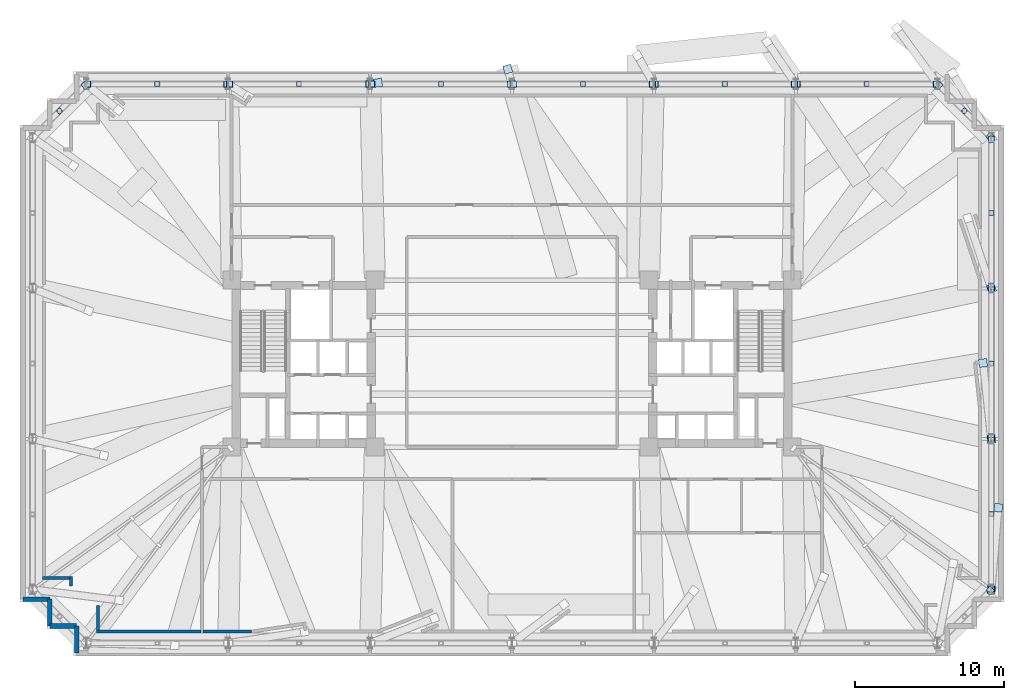
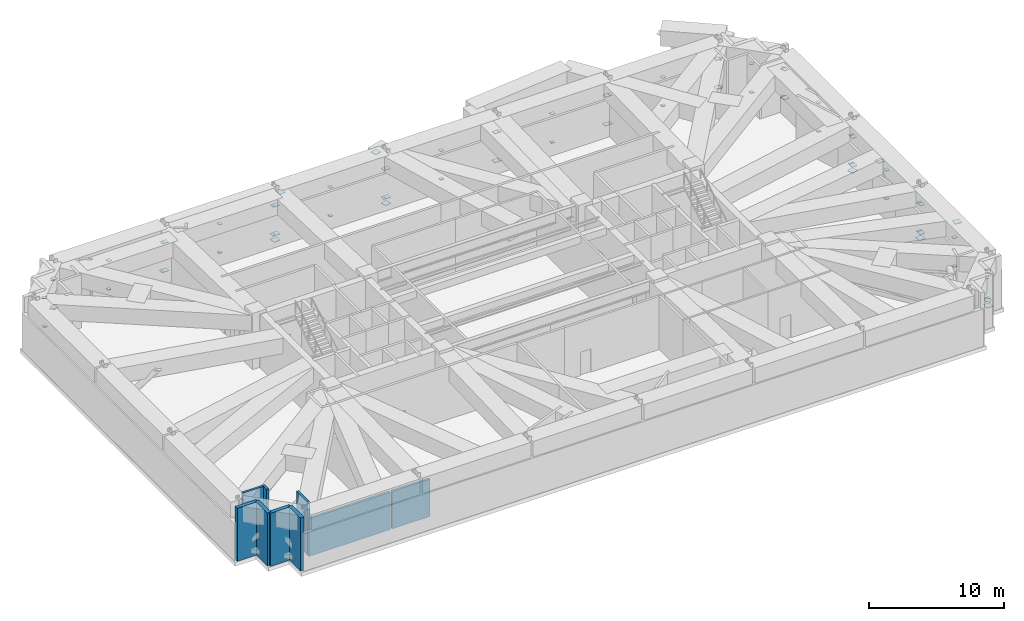
# One storey, part 14 of 20: 76 plates, 9 walls.
"""IFC4 building model written with IfcOpenShell, lengths in metres."""

from ifc_helpers import new_model, si_unit, direction, frame, frame_2d, origin, origin_2d, place, context, subcontext, project, spatial, rectangle, extrude, material, layer, layer_set, type_object, element, save


model = new_model("IFC4")

# Units and contexts
model_context = context("Model", 3, precision=1e-05, world=origin(), true_north=direction((0.0, 1.0)))
body_context = subcontext(model_context, "Body", "Model", "MODEL_VIEW")
ifc_project = project(units=[si_unit("LENGTHUNIT", "METRE"), si_unit("AREAUNIT", "SQUARE_METRE"), si_unit("VOLUMEUNIT", "CUBIC_METRE"), si_unit("PLANEANGLEUNIT", "RADIAN"), si_unit("MASSUNIT", "GRAM", prefix="KILO")], contexts=[model_context])

# Site, building, storey
site_placement = place(None, origin())
site = spatial("IfcSite", under=ifc_project, at=site_placement, CompositionType="ELEMENT")
building_placement = place(site_placement, origin())
building = spatial("IfcBuilding", under=site, at=building_placement, Name="Qobustan Lattice House", CompositionType="ELEMENT")
storey_placement = place(building_placement, frame((0.0, 0.0, 73.89990234375)))
storey = spatial("IfcBuildingStorey", under=building, at=storey_placement, Name="L20", CompositionType="ELEMENT", Elevation=73.89990234375)

# Plates
ifc_material_1 = material(Name="Steel S355", Category="steel")
ifc_layer_1 = layer(ifc_material_1, 0.030029296875)
ifc_layer_set_1 = layer_set([ifc_layer_1], Name="Steel S355")
plate_type = type_object("IfcPlateType", Name="PLT-CAP-25", PredefinedType="SHEET", material=ifc_layer_set_1)
plate_1_placement = place(storey_placement, frame((32.082763671875, -15.21728515625, 0.53515625), z_axis=(0.0, 0.0, 1.0), x_axis=(0.707106781187, 0.707106781187, 0.0)))
element("IfcPlate", 1, at=plate_1_placement, inside=storey, type_object=plate_type, Name="L20 TT1 belt truss bottom chord S7-E1 end cap plate 2", PredefinedType="SHEET", context=body_context, shape_type="SweptSolid", body=[
    extrude(rectangle(XDim=0.43994140625, YDim=0.43994140625, at=origin_2d()), origin(), (0.0, 0.0, 1.0), 0.030029296875),
])
plate_2_placement = place(storey_placement, frame((32.082763671875, -15.21728515625, 3.125), z_axis=(0.0, 0.0, 1.0), x_axis=(0.707106781187, 0.707106781187, 0.0)))
element("IfcPlate", 2, at=plate_2_placement, inside=storey, type_object=plate_type, Name="L20 TT1 belt truss top chord S7-E1 end cap plate 2", PredefinedType="SHEET", context=body_context, shape_type="SweptSolid", body=[
    extrude(rectangle(XDim=0.389892578125, YDim=0.389892578125, at=origin_2d()), origin(), (0.0, 0.0, 1.0), 0.030029296875),
])
for number, where, z_axis, x_axis, name in (
    (3, (32.14990234375, -15.054931640625, 0.53515625), (0.0, 0.0, 1.0), (0.0, 1.0, 0.0), "L20 TT1 belt truss bottom chord E1-E2 end cap plate 1"),
    (4, (32.14990234375, -5.14501953125, 0.53515625), (0.0, 0.0, 1.0), (0.0, 1.0, 0.0), "L20 TT1 belt truss bottom chord E1-E2 end cap plate 2"),
):
    element("IfcPlate", number, at=place(storey_placement, frame(where, z_axis=z_axis, x_axis=x_axis)), inside=storey, type_object=plate_type, Name=name, PredefinedType="SHEET", context=body_context, shape_type="SweptSolid", body=[
        extrude(rectangle(XDim=0.43994140625, YDim=0.43994140625, at=origin_2d()), origin(), (0.0, 0.0, 1.0), 0.030029296875),
    ])
for number, where, z_axis, x_axis, name in (
    (5, (32.14990234375, -15.054931640625, 3.125), (0.0, 0.0, 1.0), (0.0, 1.0, 0.0), "L20 TT1 belt truss top chord E1-E2 end cap plate 1"),
    (6, (32.14990234375, -5.14501953125, 3.125), (0.0, 0.0, 1.0), (0.0, 1.0, 0.0), "L20 TT1 belt truss top chord E1-E2 end cap plate 2"),
):
    element("IfcPlate", number, at=place(storey_placement, frame(where, z_axis=z_axis, x_axis=x_axis)), inside=storey, type_object=plate_type, Name=name, PredefinedType="SHEET", context=body_context, shape_type="SweptSolid", body=[
        extrude(rectangle(XDim=0.389892578125, YDim=0.389892578125, at=origin_2d()), origin(), (0.0, 0.0, 1.0), 0.030029296875),
    ])
plate_3_placement = place(storey_placement, frame((32.14990234375, -10.095703125, 3.12744140625), z_axis=(0.0, 0.0, 1.0), x_axis=(0.0, 1.0, 0.0)))
element("IfcPlate", 7, at=plate_3_placement, inside=storey, type_object=plate_type, Name="L20 TT1 belt truss web diagonal E1-E2 A end cap plate 2", PredefinedType="SHEET", context=body_context, shape_type="SweptSolid", body=[
    extrude(rectangle(XDim=0.340087890625, YDim=0.340087890625, at=origin_2d()), origin(), (0.0, 0.0, 1.0), 0.030029296875),
])
plate_4_placement = place(storey_placement, frame((32.14990234375, -10.10009765625, 0.5302734375), z_axis=(0.0, 0.0, 1.0), x_axis=(1.0, 0.0, 0.0)))
element("IfcPlate", 8, at=plate_4_placement, inside=storey, type_object=plate_type, Name="L20 TT1 belt truss vertical post E1-E2 end cap plate 1", PredefinedType="SHEET", context=body_context, shape_type="SweptSolid", body=[
    extrude(rectangle(XDim=0.2900390625, YDim=0.2900390625, at=origin_2d()), origin(), (0.0, 0.0, 1.0), 0.030029296875),
])
for number, where, z_axis, x_axis, name in (
    (9, (32.14990234375, -4.955078125, 0.53515625), (0.0, 0.0, 1.0), (0.0, 1.0, 0.0), "L20 TT1 belt truss bottom chord E2-E3 end cap plate 1"),
    (10, (32.14990234375, 4.955078125, 0.53515625), (0.0, 0.0, 1.0), (0.0, 1.0, 0.0), "L20 TT1 belt truss bottom chord E2-E3 end cap plate 2"),
):
    element("IfcPlate", number, at=place(storey_placement, frame(where, z_axis=z_axis, x_axis=x_axis)), inside=storey, type_object=plate_type, Name=name, PredefinedType="SHEET", context=body_context, shape_type="SweptSolid", body=[
        extrude(rectangle(XDim=0.43994140625, YDim=0.43994140625, at=origin_2d()), origin(), (0.0, 0.0, 1.0), 0.030029296875),
    ])
for number, where, z_axis, x_axis, name in (
    (11, (32.14990234375, -4.955078125, 3.125), (0.0, 0.0, 1.0), (0.0, 1.0, 0.0), "L20 TT1 belt truss top chord E2-E3 end cap plate 1"),
    (12, (32.14990234375, 4.955078125, 3.125), (0.0, 0.0, 1.0), (0.0, 1.0, 0.0), "L20 TT1 belt truss top chord E2-E3 end cap plate 2"),
):
    element("IfcPlate", number, at=place(storey_placement, frame(where, z_axis=z_axis, x_axis=x_axis)), inside=storey, type_object=plate_type, Name=name, PredefinedType="SHEET", context=body_context, shape_type="SweptSolid", body=[
        extrude(rectangle(XDim=0.389892578125, YDim=0.389892578125, at=origin_2d()), origin(), (0.0, 0.0, 1.0), 0.030029296875),
    ])
plate_5_placement = place(storey_placement, frame((32.14990234375, 0.00439453125, 3.12744140625), z_axis=(0.0, 0.0, 1.0), x_axis=(0.0, 1.0, 0.0)))
element("IfcPlate", 13, at=plate_5_placement, inside=storey, type_object=plate_type, Name="L20 TT1 belt truss web diagonal E2-E3 A end cap plate 2", PredefinedType="SHEET", context=body_context, shape_type="SweptSolid", body=[
    extrude(rectangle(XDim=0.340087890625, YDim=0.340087890625, at=origin_2d()), origin(), (0.0, 0.0, 1.0), 0.030029296875),
])
plate_6_placement = place(storey_placement, frame((32.14990234375, 0.0, 0.5302734375), z_axis=(0.0, 0.0, 1.0), x_axis=(1.0, 0.0, 0.0)))
element("IfcPlate", 14, at=plate_6_placement, inside=storey, type_object=plate_type, Name="L20 TT1 belt truss vertical post E2-E3 end cap plate 1", PredefinedType="SHEET", context=body_context, shape_type="SweptSolid", body=[
    extrude(rectangle(XDim=0.2900390625, YDim=0.2900390625, at=origin_2d()), origin(), (0.0, 0.0, 1.0), 0.030029296875),
])
for number, where, z_axis, x_axis, name in (
    (15, (32.14990234375, 5.14501953125, 0.53515625), (0.0, 0.0, 1.0), (0.0, 1.0, 0.0), "L20 TT1 belt truss bottom chord E3-E4 end cap plate 1"),
    (16, (32.14990234375, 15.054931640625, 0.53515625), (0.0, 0.0, 1.0), (0.0, 1.0, 0.0), "L20 TT1 belt truss bottom chord E3-E4 end cap plate 2"),
):
    element("IfcPlate", number, at=place(storey_placement, frame(where, z_axis=z_axis, x_axis=x_axis)), inside=storey, type_object=plate_type, Name=name, PredefinedType="SHEET", context=body_context, shape_type="SweptSolid", body=[
        extrude(rectangle(XDim=0.43994140625, YDim=0.43994140625, at=origin_2d()), origin(), (0.0, 0.0, 1.0), 0.030029296875),
    ])
for number, where, z_axis, x_axis, name in (
    (17, (32.14990234375, 5.14501953125, 3.125), (0.0, 0.0, 1.0), (0.0, 1.0, 0.0), "L20 TT1 belt truss top chord E3-E4 end cap plate 1"),
    (18, (32.14990234375, 15.054931640625, 3.125), (0.0, 0.0, 1.0), (0.0, 1.0, 0.0), "L20 TT1 belt truss top chord E3-E4 end cap plate 2"),
):
    element("IfcPlate", number, at=place(storey_placement, frame(where, z_axis=z_axis, x_axis=x_axis)), inside=storey, type_object=plate_type, Name=name, PredefinedType="SHEET", context=body_context, shape_type="SweptSolid", body=[
        extrude(rectangle(XDim=0.389892578125, YDim=0.389892578125, at=origin_2d()), origin(), (0.0, 0.0, 1.0), 0.030029296875),
    ])
plate_7_placement = place(storey_placement, frame((32.14990234375, 10.1044921875, 3.12744140625), z_axis=(0.0, 0.0, 1.0), x_axis=(0.0, 1.0, 0.0)))
element("IfcPlate", 19, at=plate_7_placement, inside=storey, type_object=plate_type, Name="L20 TT1 belt truss web diagonal E3-E4 A end cap plate 2", PredefinedType="SHEET", context=body_context, shape_type="SweptSolid", body=[
    extrude(rectangle(XDim=0.340087890625, YDim=0.340087890625, at=origin_2d()), origin(), (0.0, 0.0, 1.0), 0.030029296875),
])
plate_8_placement = place(storey_placement, frame((32.14990234375, 10.10009765625, 0.5302734375), z_axis=(0.0, 0.0, 1.0), x_axis=(1.0, 0.0, 0.0)))
element("IfcPlate", 20, at=plate_8_placement, inside=storey, type_object=plate_type, Name="L20 TT1 belt truss vertical post E3-E4 end cap plate 1", PredefinedType="SHEET", context=body_context, shape_type="SweptSolid", body=[
    extrude(rectangle(XDim=0.2900390625, YDim=0.2900390625, at=origin_2d()), origin(), (0.0, 0.0, 1.0), 0.030029296875),
])
for number, where, z_axis, x_axis, name in (
    (21, (32.082763671875, 15.21728515625, 0.53515625), (0.0, 0.0, 1.0), (-0.707106781187, 0.707106781187, 0.0), "L20 TT1 belt truss bottom chord E4-N1 end cap plate 1"),
    (22, (28.6171875, 18.682861328125, 0.53515625), (0.0, 0.0, 1.0), (-0.707106781187, 0.707106781187, 0.0), "L20 TT1 belt truss bottom chord E4-N1 end cap plate 2"),
):
    element("IfcPlate", number, at=place(storey_placement, frame(where, z_axis=z_axis, x_axis=x_axis)), inside=storey, type_object=plate_type, Name=name, PredefinedType="SHEET", context=body_context, shape_type="SweptSolid", body=[
        extrude(rectangle(XDim=0.43994140625, YDim=0.43994140625, at=origin_2d()), origin(), (0.0, 0.0, 1.0), 0.030029296875),
    ])
for number, where, z_axis, x_axis, name in (
    (23, (32.082763671875, 15.21728515625, 3.125), (0.0, 0.0, 1.0), (-0.707106781187, 0.707106781187, 0.0), "L20 TT1 belt truss top chord E4-N1 end cap plate 1"),
    (24, (28.6171875, 18.682861328125, 3.125), (0.0, 0.0, 1.0), (-0.707106781187, 0.707106781187, 0.0), "L20 TT1 belt truss top chord E4-N1 end cap plate 2"),
):
    element("IfcPlate", number, at=place(storey_placement, frame(where, z_axis=z_axis, x_axis=x_axis)), inside=storey, type_object=plate_type, Name=name, PredefinedType="SHEET", context=body_context, shape_type="SweptSolid", body=[
        extrude(rectangle(XDim=0.389892578125, YDim=0.389892578125, at=origin_2d()), origin(), (0.0, 0.0, 1.0), 0.030029296875),
    ])
plate_9_placement = place(storey_placement, frame((30.34765625, 16.952392578125, 3.12890625), z_axis=(0.0, 0.0, 1.0), x_axis=(-0.707106781187, 0.707106781187, 0.0)))
element("IfcPlate", 25, at=plate_9_placement, inside=storey, type_object=plate_type, Name="L20 TT1 belt truss web diagonal E4-N1 A end cap plate 2", PredefinedType="SHEET", context=body_context, shape_type="SweptSolid", body=[
    extrude(rectangle(XDim=0.340087890625, YDim=0.340087890625, at=origin_2d()), origin(), (0.0, 0.0, 1.0), 0.030029296875),
])
plate_10_placement = place(storey_placement, frame((30.35009765625, 16.949951171875, 0.5302734375), z_axis=(0.0, 0.0, 1.0), x_axis=(1.0, 0.0, 0.0)))
element("IfcPlate", 26, at=plate_10_placement, inside=storey, type_object=plate_type, Name="L20 TT1 belt truss vertical post E4-N1 end cap plate 1", PredefinedType="SHEET", context=body_context, shape_type="SweptSolid", body=[
    extrude(rectangle(XDim=0.2900390625, YDim=0.2900390625, at=origin_2d()), origin(), (0.0, 0.0, 1.0), 0.030029296875),
])
for number, where, z_axis, x_axis, name in (
    (27, (28.455078125, 18.75, 0.53515625), (0.0, 0.0, 1.0), (-1.0, 0.0, 0.0), "L20 TT1 belt truss bottom chord N1-N2 end cap plate 1"),
    (28, (19.12841796875, 18.75, 0.53515625), (0.0, 0.0, 1.0), (-1.0, 0.0, 0.0), "L20 TT1 belt truss bottom chord N1-N2 end cap plate 2"),
):
    element("IfcPlate", number, at=place(storey_placement, frame(where, z_axis=z_axis, x_axis=x_axis)), inside=storey, type_object=plate_type, Name=name, PredefinedType="SHEET", context=body_context, shape_type="SweptSolid", body=[
        extrude(rectangle(XDim=0.43994140625, YDim=0.43994140625, at=origin_2d()), origin(), (0.0, 0.0, 1.0), 0.030029296875),
    ])
for number, where, z_axis, x_axis, name in (
    (29, (28.455078125, 18.75, 3.125), (0.0, 0.0, 1.0), (-1.0, 0.0, 0.0), "L20 TT1 belt truss top chord N1-N2 end cap plate 1"),
    (30, (19.12841796875, 18.75, 3.125), (0.0, 0.0, 1.0), (-1.0, 0.0, 0.0), "L20 TT1 belt truss top chord N1-N2 end cap plate 2"),
):
    element("IfcPlate", number, at=place(storey_placement, frame(where, z_axis=z_axis, x_axis=x_axis)), inside=storey, type_object=plate_type, Name=name, PredefinedType="SHEET", context=body_context, shape_type="SweptSolid", body=[
        extrude(rectangle(XDim=0.389892578125, YDim=0.389892578125, at=origin_2d()), origin(), (0.0, 0.0, 1.0), 0.030029296875),
    ])
plate_11_placement = place(storey_placement, frame((23.787109375, 18.75, 3.12744140625), z_axis=(0.0, 0.0, 1.0), x_axis=(-1.0, 0.0, 0.0)))
element("IfcPlate", 31, at=plate_11_placement, inside=storey, type_object=plate_type, Name="L20 TT1 belt truss web diagonal N1-N2 A end cap plate 2", PredefinedType="SHEET", context=body_context, shape_type="SweptSolid", body=[
    extrude(rectangle(XDim=0.340087890625, YDim=0.340087890625, at=origin_2d()), origin(), (0.0, 0.0, 1.0), 0.030029296875),
])
plate_12_placement = place(storey_placement, frame((23.79150390625, 18.75, 0.5302734375), z_axis=(0.0, 0.0, 1.0), x_axis=(1.0, 0.0, 0.0)))
element("IfcPlate", 32, at=plate_12_placement, inside=storey, type_object=plate_type, Name="L20 TT1 belt truss vertical post N1-N2 end cap plate 1", PredefinedType="SHEET", context=body_context, shape_type="SweptSolid", body=[
    extrude(rectangle(XDim=0.2900390625, YDim=0.2900390625, at=origin_2d()), origin(), (0.0, 0.0, 1.0), 0.030029296875),
])
for number, where, z_axis, x_axis, name in (
    (33, (18.938232421875, 18.75, 0.53515625), (0.0, 0.0, 1.0), (-1.0, 0.0, 0.0), "L20 TT1 belt truss bottom chord N2-N3 end cap plate 1"),
    (34, (9.61181640625, 18.75, 0.53515625), (0.0, 0.0, 1.0), (-1.0, 0.0, 0.0), "L20 TT1 belt truss bottom chord N2-N3 end cap plate 2"),
):
    element("IfcPlate", number, at=place(storey_placement, frame(where, z_axis=z_axis, x_axis=x_axis)), inside=storey, type_object=plate_type, Name=name, PredefinedType="SHEET", context=body_context, shape_type="SweptSolid", body=[
        extrude(rectangle(XDim=0.43994140625, YDim=0.43994140625, at=origin_2d()), origin(), (0.0, 0.0, 1.0), 0.030029296875),
    ])
for number, where, z_axis, x_axis, name in (
    (35, (18.938232421875, 18.75, 3.125), (0.0, 0.0, 1.0), (-1.0, 0.0, 0.0), "L20 TT1 belt truss top chord N2-N3 end cap plate 1"),
    (36, (9.61181640625, 18.75, 3.125), (0.0, 0.0, 1.0), (-1.0, 0.0, 0.0), "L20 TT1 belt truss top chord N2-N3 end cap plate 2"),
):
    element("IfcPlate", number, at=place(storey_placement, frame(where, z_axis=z_axis, x_axis=x_axis)), inside=storey, type_object=plate_type, Name=name, PredefinedType="SHEET", context=body_context, shape_type="SweptSolid", body=[
        extrude(rectangle(XDim=0.389892578125, YDim=0.389892578125, at=origin_2d()), origin(), (0.0, 0.0, 1.0), 0.030029296875),
    ])
plate_13_placement = place(storey_placement, frame((14.2705078125, 18.75, 3.12744140625), z_axis=(0.0, 0.0, 1.0), x_axis=(-1.0, 0.0, 0.0)))
element("IfcPlate", 37, at=plate_13_placement, inside=storey, type_object=plate_type, Name="L20 TT1 belt truss web diagonal N2-N3 A end cap plate 2", PredefinedType="SHEET", context=body_context, shape_type="SweptSolid", body=[
    extrude(rectangle(XDim=0.340087890625, YDim=0.340087890625, at=origin_2d()), origin(), (0.0, 0.0, 1.0), 0.030029296875),
])
plate_14_placement = place(storey_placement, frame((14.27490234375, 18.75, 0.5302734375), z_axis=(0.0, 0.0, 1.0), x_axis=(1.0, 0.0, 0.0)))
element("IfcPlate", 38, at=plate_14_placement, inside=storey, type_object=plate_type, Name="L20 TT1 belt truss vertical post N2-N3 end cap plate 1", PredefinedType="SHEET", context=body_context, shape_type="SweptSolid", body=[
    extrude(rectangle(XDim=0.2900390625, YDim=0.2900390625, at=origin_2d()), origin(), (0.0, 0.0, 1.0), 0.030029296875),
])
for number, where, z_axis, x_axis, name in (
    (39, (9.421630859375, 18.75, 0.53515625), (0.0, 0.0, 1.0), (-1.0, 0.0, 0.0), "L20 TT1 belt truss bottom chord N3-N4 end cap plate 1"),
    (40, (0.094970703125, 18.75, 0.53515625), (0.0, 0.0, 1.0), (-1.0, 0.0, 0.0), "L20 TT1 belt truss bottom chord N3-N4 end cap plate 2"),
):
    element("IfcPlate", number, at=place(storey_placement, frame(where, z_axis=z_axis, x_axis=x_axis)), inside=storey, type_object=plate_type, Name=name, PredefinedType="SHEET", context=body_context, shape_type="SweptSolid", body=[
        extrude(rectangle(XDim=0.43994140625, YDim=0.43994140625, at=origin_2d()), origin(), (0.0, 0.0, 1.0), 0.030029296875),
    ])
for number, where, z_axis, x_axis, name in (
    (41, (9.421630859375, 18.75, 3.125), (0.0, 0.0, 1.0), (-1.0, 0.0, 0.0), "L20 TT1 belt truss top chord N3-N4 end cap plate 1"),
    (42, (0.094970703125, 18.75, 3.125), (0.0, 0.0, 1.0), (-1.0, 0.0, 0.0), "L20 TT1 belt truss top chord N3-N4 end cap plate 2"),
):
    element("IfcPlate", number, at=place(storey_placement, frame(where, z_axis=z_axis, x_axis=x_axis)), inside=storey, type_object=plate_type, Name=name, PredefinedType="SHEET", context=body_context, shape_type="SweptSolid", body=[
        extrude(rectangle(XDim=0.389892578125, YDim=0.389892578125, at=origin_2d()), origin(), (0.0, 0.0, 1.0), 0.030029296875),
    ])
plate_15_placement = place(storey_placement, frame((4.75390625, 18.75, 3.12744140625), z_axis=(0.0, 0.0, 1.0), x_axis=(-1.0, 0.0, 0.0)))
element("IfcPlate", 43, at=plate_15_placement, inside=storey, type_object=plate_type, Name="L20 TT1 belt truss web diagonal N3-N4 A end cap plate 2", PredefinedType="SHEET", context=body_context, shape_type="SweptSolid", body=[
    extrude(rectangle(XDim=0.340087890625, YDim=0.340087890625, at=origin_2d()), origin(), (0.0, 0.0, 1.0), 0.030029296875),
])
plate_16_placement = place(storey_placement, frame((4.75830078125, 18.75, 0.5302734375), z_axis=(0.0, 0.0, 1.0), x_axis=(1.0, 0.0, 0.0)))
element("IfcPlate", 44, at=plate_16_placement, inside=storey, type_object=plate_type, Name="L20 TT1 belt truss vertical post N3-N4 end cap plate 1", PredefinedType="SHEET", context=body_context, shape_type="SweptSolid", body=[
    extrude(rectangle(XDim=0.2900390625, YDim=0.2900390625, at=origin_2d()), origin(), (0.0, 0.0, 1.0), 0.030029296875),
])
for number, where, z_axis, x_axis, name in (
    (45, (-0.094970703125, 18.75, 0.53515625), (0.0, 0.0, 1.0), (-1.0, 0.0, 0.0), "L20 TT1 belt truss bottom chord N4-N5 end cap plate 1"),
    (46, (-9.421630859375, 18.75, 0.53515625), (0.0, 0.0, 1.0), (-1.0, 0.0, 0.0), "L20 TT1 belt truss bottom chord N4-N5 end cap plate 2"),
):
    element("IfcPlate", number, at=place(storey_placement, frame(where, z_axis=z_axis, x_axis=x_axis)), inside=storey, type_object=plate_type, Name=name, PredefinedType="SHEET", context=body_context, shape_type="SweptSolid", body=[
        extrude(rectangle(XDim=0.43994140625, YDim=0.43994140625, at=origin_2d()), origin(), (0.0, 0.0, 1.0), 0.030029296875),
    ])
for number, where, z_axis, x_axis, name in (
    (47, (-0.094970703125, 18.75, 3.125), (0.0, 0.0, 1.0), (-1.0, 0.0, 0.0), "L20 TT1 belt truss top chord N4-N5 end cap plate 1"),
    (48, (-9.421630859375, 18.75, 3.125), (0.0, 0.0, 1.0), (-1.0, 0.0, 0.0), "L20 TT1 belt truss top chord N4-N5 end cap plate 2"),
):
    element("IfcPlate", number, at=place(storey_placement, frame(where, z_axis=z_axis, x_axis=x_axis)), inside=storey, type_object=plate_type, Name=name, PredefinedType="SHEET", context=body_context, shape_type="SweptSolid", body=[
        extrude(rectangle(XDim=0.389892578125, YDim=0.389892578125, at=origin_2d()), origin(), (0.0, 0.0, 1.0), 0.030029296875),
    ])
plate_17_placement = place(storey_placement, frame((-4.7626953125, 18.75, 3.12744140625), z_axis=(0.0, 0.0, 1.0), x_axis=(-1.0, 0.0, 0.0)))
element("IfcPlate", 49, at=plate_17_placement, inside=storey, type_object=plate_type, Name="L20 TT1 belt truss web diagonal N4-N5 A end cap plate 2", PredefinedType="SHEET", context=body_context, shape_type="SweptSolid", body=[
    extrude(rectangle(XDim=0.340087890625, YDim=0.340087890625, at=origin_2d()), origin(), (0.0, 0.0, 1.0), 0.030029296875),
])
plate_18_placement = place(storey_placement, frame((-4.75830078125, 18.75, 0.5302734375), z_axis=(0.0, 0.0, 1.0), x_axis=(1.0, 0.0, 0.0)))
element("IfcPlate", 50, at=plate_18_placement, inside=storey, type_object=plate_type, Name="L20 TT1 belt truss vertical post N4-N5 end cap plate 1", PredefinedType="SHEET", context=body_context, shape_type="SweptSolid", body=[
    extrude(rectangle(XDim=0.2900390625, YDim=0.2900390625, at=origin_2d()), origin(), (0.0, 0.0, 1.0), 0.030029296875),
])
for number, where, z_axis, x_axis, name in (
    (51, (-9.61181640625, 18.75, 0.53515625), (0.0, 0.0, 1.0), (-1.0, 0.0, 0.0), "L20 TT1 belt truss bottom chord N5-N6 end cap plate 1"),
    (52, (-18.938232421875, 18.75, 0.53515625), (0.0, 0.0, 1.0), (-1.0, 0.0, 0.0), "L20 TT1 belt truss bottom chord N5-N6 end cap plate 2"),
):
    element("IfcPlate", number, at=place(storey_placement, frame(where, z_axis=z_axis, x_axis=x_axis)), inside=storey, type_object=plate_type, Name=name, PredefinedType="SHEET", context=body_context, shape_type="SweptSolid", body=[
        extrude(rectangle(XDim=0.43994140625, YDim=0.43994140625, at=origin_2d()), origin(), (0.0, 0.0, 1.0), 0.030029296875),
    ])
for number, where, z_axis, x_axis, name in (
    (53, (-9.61181640625, 18.75, 3.125), (0.0, 0.0, 1.0), (-1.0, 0.0, 0.0), "L20 TT1 belt truss top chord N5-N6 end cap plate 1"),
    (54, (-18.938232421875, 18.75, 3.125), (0.0, 0.0, 1.0), (-1.0, 0.0, 0.0), "L20 TT1 belt truss top chord N5-N6 end cap plate 2"),
):
    element("IfcPlate", number, at=place(storey_placement, frame(where, z_axis=z_axis, x_axis=x_axis)), inside=storey, type_object=plate_type, Name=name, PredefinedType="SHEET", context=body_context, shape_type="SweptSolid", body=[
        extrude(rectangle(XDim=0.389892578125, YDim=0.389892578125, at=origin_2d()), origin(), (0.0, 0.0, 1.0), 0.030029296875),
    ])
plate_19_placement = place(storey_placement, frame((-14.279296875, 18.75, 3.12744140625), z_axis=(0.0, 0.0, 1.0), x_axis=(-1.0, 0.0, 0.0)))
element("IfcPlate", 55, at=plate_19_placement, inside=storey, type_object=plate_type, Name="L20 TT1 belt truss web diagonal N5-N6 A end cap plate 2", PredefinedType="SHEET", context=body_context, shape_type="SweptSolid", body=[
    extrude(rectangle(XDim=0.340087890625, YDim=0.340087890625, at=origin_2d()), origin(), (0.0, 0.0, 1.0), 0.030029296875),
])
plate_20_placement = place(storey_placement, frame((-14.27490234375, 18.75, 0.5302734375), z_axis=(0.0, 0.0, 1.0), x_axis=(1.0, 0.0, 0.0)))
element("IfcPlate", 56, at=plate_20_placement, inside=storey, type_object=plate_type, Name="L20 TT1 belt truss vertical post N5-N6 end cap plate 1", PredefinedType="SHEET", context=body_context, shape_type="SweptSolid", body=[
    extrude(rectangle(XDim=0.2900390625, YDim=0.2900390625, at=origin_2d()), origin(), (0.0, 0.0, 1.0), 0.030029296875),
])
for number, where, z_axis, x_axis, name in (
    (57, (-19.12841796875, 18.75, 0.53515625), (0.0, 0.0, 1.0), (-1.0, 0.0, 0.0), "L20 TT1 belt truss bottom chord N6-N7 end cap plate 1"),
    (58, (-28.455078125, 18.75, 0.53515625), (0.0, 0.0, 1.0), (-1.0, 0.0, 0.0), "L20 TT1 belt truss bottom chord N6-N7 end cap plate 2"),
):
    element("IfcPlate", number, at=place(storey_placement, frame(where, z_axis=z_axis, x_axis=x_axis)), inside=storey, type_object=plate_type, Name=name, PredefinedType="SHEET", context=body_context, shape_type="SweptSolid", body=[
        extrude(rectangle(XDim=0.43994140625, YDim=0.43994140625, at=origin_2d()), origin(), (0.0, 0.0, 1.0), 0.030029296875),
    ])
for number, where, z_axis, x_axis, name in (
    (59, (-19.12841796875, 18.75, 3.125), (0.0, 0.0, 1.0), (-1.0, 0.0, 0.0), "L20 TT1 belt truss top chord N6-N7 end cap plate 1"),
    (60, (-28.455078125, 18.75, 3.125), (0.0, 0.0, 1.0), (-1.0, 0.0, 0.0), "L20 TT1 belt truss top chord N6-N7 end cap plate 2"),
):
    element("IfcPlate", number, at=place(storey_placement, frame(where, z_axis=z_axis, x_axis=x_axis)), inside=storey, type_object=plate_type, Name=name, PredefinedType="SHEET", context=body_context, shape_type="SweptSolid", body=[
        extrude(rectangle(XDim=0.389892578125, YDim=0.389892578125, at=origin_2d()), origin(), (0.0, 0.0, 1.0), 0.030029296875),
    ])
plate_21_placement = place(storey_placement, frame((-23.7958984375, 18.75, 3.12744140625), z_axis=(0.0, 0.0, 1.0), x_axis=(-1.0, 0.0, 0.0)))
element("IfcPlate", 61, at=plate_21_placement, inside=storey, type_object=plate_type, Name="L20 TT1 belt truss web diagonal N6-N7 A end cap plate 2", PredefinedType="SHEET", context=body_context, shape_type="SweptSolid", body=[
    extrude(rectangle(XDim=0.340087890625, YDim=0.340087890625, at=origin_2d()), origin(), (0.0, 0.0, 1.0), 0.030029296875),
])
plate_22_placement = place(storey_placement, frame((-23.79150390625, 18.75, 0.5302734375), z_axis=(0.0, 0.0, 1.0), x_axis=(1.0, 0.0, 0.0)))
element("IfcPlate", 62, at=plate_22_placement, inside=storey, type_object=plate_type, Name="L20 TT1 belt truss vertical post N6-N7 end cap plate 1", PredefinedType="SHEET", context=body_context, shape_type="SweptSolid", body=[
    extrude(rectangle(XDim=0.2900390625, YDim=0.2900390625, at=origin_2d()), origin(), (0.0, 0.0, 1.0), 0.030029296875),
])
plate_23_placement = place(storey_placement, frame((-28.6171875, 18.682861328125, 0.53515625), z_axis=(0.0, 0.0, 1.0), x_axis=(-0.707106781187, -0.707106781187, 0.0)))
element("IfcPlate", 63, at=plate_23_placement, inside=storey, type_object=plate_type, Name="L20 TT1 belt truss bottom chord N7-W1 end cap plate 1", PredefinedType="SHEET", context=body_context, shape_type="SweptSolid", body=[
    extrude(rectangle(XDim=0.43994140625, YDim=0.43994140625, at=origin_2d()), origin(), (0.0, 0.0, 1.0), 0.030029296875),
])
plate_24_placement = place(storey_placement, frame((-28.6171875, 18.682861328125, 3.125), z_axis=(0.0, 0.0, 1.0), x_axis=(-0.707106781187, -0.707106781187, 0.0)))
element("IfcPlate", 64, at=plate_24_placement, inside=storey, type_object=plate_type, Name="L20 TT1 belt truss top chord N7-W1 end cap plate 1", PredefinedType="SHEET", context=body_context, shape_type="SweptSolid", body=[
    extrude(rectangle(XDim=0.389892578125, YDim=0.389892578125, at=origin_2d()), origin(), (0.0, 0.0, 1.0), 0.030029296875),
])
plate_25_placement = place(storey_placement, frame((-30.352294921875, 16.947509765625, 3.12890625), z_axis=(0.0, 0.0, 1.0), x_axis=(-0.707106781187, -0.707106781187, 0.0)))
element("IfcPlate", 65, at=plate_25_placement, inside=storey, type_object=plate_type, Name="L20 TT1 belt truss web diagonal N7-W1 A end cap plate 2", PredefinedType="SHEET", context=body_context, shape_type="SweptSolid", body=[
    extrude(rectangle(XDim=0.340087890625, YDim=0.340087890625, at=origin_2d()), origin(), (0.0, 0.0, 1.0), 0.030029296875),
])
plate_26_placement = place(storey_placement, frame((-30.35009765625, 16.949951171875, 0.5302734375), z_axis=(0.0, 0.0, 1.0), x_axis=(1.0, 0.0, 0.0)))
element("IfcPlate", 66, at=plate_26_placement, inside=storey, type_object=plate_type, Name="L20 TT1 belt truss vertical post N7-W1 end cap plate 1", PredefinedType="SHEET", context=body_context, shape_type="SweptSolid", body=[
    extrude(rectangle(XDim=0.2900390625, YDim=0.2900390625, at=origin_2d()), origin(), (0.0, 0.0, 1.0), 0.030029296875),
])
for number, where, z_axis, x_axis, name in (
    (67, (32.149658203125, -15.154052734375, -0.0029296875), (0.0, 0.0, 1.0), (0.085260416531, 0.996358701158, 0.0), "L20 TT1 column transfer strut E1 end cap plate 1"),
    (68, (32.619140625, -9.66650390625, 4.10791015625), (0.0, 0.0, 1.0), (0.085260416531, 0.996358701158, 0.0), "L20 TT1 column transfer strut E1 end cap plate 2"),
    (69, (32.150390625, -5.053955078125, -0.0029296875), (0.0, 0.0, 1.0), (-0.107756435578, 0.994177323515, 0.0), "L20 TT1 column transfer strut E2 end cap plate 1"),
    (70, (31.59765625, 0.046630859375, 4.1083984375), (0.0, 0.0, 1.0), (-0.107756435578, 0.994177323515, 0.0), "L20 TT1 column transfer strut E2 end cap plate 2"),
    (71, (32.151123046875, 5.04638671875, -0.0029296875), (0.0, 0.0, 1.0), (-0.317006716089, 0.948423292604, 0.0), "L20 TT1 column transfer strut E3 end cap plate 1"),
    (72, (0.000244140625, 18.748779296875, -0.0048828125), (0.0, 0.0, 1.0), (-0.275318574218, 0.961353047892, 0.0), "L20 TT1 column transfer strut N4 end cap plate 1"),
    (73, (-0.287109375, 19.752197265625, 4.10986328125), (0.0, 0.0, 1.0), (-0.275318574218, 0.961353047892, 0.0), "L20 TT1 column transfer strut N4 end cap plate 2"),
    (74, (-9.517333984375, 18.75, -0.0048828125), (0.0, 0.0, 1.0), (0.986838787883, 0.161707163506, 0.0), "L20 TT1 column transfer strut N5 end cap plate 1"),
    (75, (-8.98828125, 18.836669921875, 4.10986328125), (0.0, 0.0, 1.0), (0.986838787883, 0.161707163506, 0.0), "L20 TT1 column transfer strut N5 end cap plate 2"),
):
    element("IfcPlate", number, at=place(storey_placement, frame(where, z_axis=z_axis, x_axis=x_axis)), inside=storey, type_object=plate_type, Name=name, PredefinedType="SHEET", context=body_context, shape_type="SweptSolid", body=[
        extrude(rectangle(XDim=0.548095703125, YDim=0.548095703125, at=origin_2d()), origin(), (0.0, 0.0, 1.0), 0.030029296875),
    ])
plate_27_placement = place(storey_placement, frame((32.056396484375, -15.0830078125, 2.53515625), z_axis=(0.0, 0.0, 1.0), x_axis=(0.813324220276, -0.581810718973, 0.0)))
element("IfcPlate", 76, at=plate_27_placement, inside=storey, type_object=plate_type, Name="L20 TT1 outrigger chord OUT-ES end cap plate 2", PredefinedType="SHEET", context=body_context, shape_type="SweptSolid", body=[
    extrude(rectangle(XDim=0.239990234375, YDim=0.43994140625, at=origin_2d()), origin(), (0.0, 0.0, 1.0), 0.030029296875),
])

# Walls
ifc_material_2 = material(Name="Precast concrete C40/50", Category="concrete")
ifc_layer_2 = layer(ifc_material_2, 0.320068359375)
ifc_layer_set_2 = layer_set([ifc_layer_2], Name="Precast concrete C40/50")
wall_type_1 = type_object("IfcWallType", Name="WAL-EXT-STONE-320", PredefinedType="SOLIDWALL", material=ifc_layer_set_2)
wall_1_placement = place(storey_placement, frame((-29.199951171875, -19.39990234375, 0.0), z_axis=(0.0, 0.0, 1.0), x_axis=(0.0, 1.0, 0.0)))
element("IfcWall", 77, at=wall_1_placement, inside=storey, type_object=wall_type_1, Name="L20 exterior limestone-clad wall 1", PredefinedType="SOLIDWALL", context=body_context, shape_type="SweptSolid", body=[
    extrude(rectangle(XDim=1.7998046875, YDim=0.320068359375, at=frame_2d((0.89990234375, 0.0))), origin(), (0.0, 0.0, 1.0), 4.820068359375),
])
for number, where, z_axis, x_axis, name in (
    (78, (-29.199951171875, -17.60009765625, 0.0), (0.0, 0.0, 1.0), (-1.0, 0.0, 0.0), "L20 exterior limestone-clad wall 2"),
    (79, (-31.0, -17.60009765625, 0.0), (0.0, 0.0, 1.0), (0.0, 1.0, 0.0), "L20 exterior limestone-clad wall 3"),
    (80, (-31.0, -15.800048828125, 0.0), (0.0, 0.0, 1.0), (-1.0, 0.0, 0.0), "L20 exterior limestone-clad wall 4"),
):
    element("IfcWall", number, at=place(storey_placement, frame(where, z_axis=z_axis, x_axis=x_axis)), inside=storey, type_object=wall_type_1, Name=name, PredefinedType="SOLIDWALL", context=body_context, shape_type="SweptSolid", body=[
        extrude(rectangle(XDim=1.800048828125, YDim=0.320068359375, at=frame_2d((0.89990234375, 0.0))), origin(), (0.0, 0.0, 1.0), 4.820068359375),
    ])
ifc_material_3 = material(Name="Two-hour gypsum fireboard acoustic partition", Category="gypsum")
ifc_layer_3 = layer(ifc_material_3, 0.199951171875)
ifc_layer_set_3 = layer_set([ifc_layer_3], Name="Two-hour gypsum fireboard acoustic partition")
wall_type_2 = type_object("IfcWallType", Name="WAL-PROT-200", PredefinedType="PARTITIONING", material=ifc_layer_set_3)
wall_2_placement = place(storey_placement, frame((-17.477783203125, -17.97509765625, 0.0), z_axis=(0.0, 0.0, 1.0), x_axis=(-1.0, 0.0, 0.0)))
element("IfcWall", 81, at=wall_2_placement, inside=storey, type_object=wall_type_2, Name="L20 perimeter belt-truss plenum enclosure wall 3", PredefinedType="PARTITIONING", context=body_context, shape_type="SweptSolid", body=[
    extrude(rectangle(XDim=3.247314453125, YDim=0.199951171875, at=frame_2d((1.62353515625, 0.0))), origin(), (0.0, 0.0, 1.0), 3.405029296875),
])
wall_3_placement = place(storey_placement, frame((-20.875, -17.97509765625, 0.0), z_axis=(0.0, 0.0, 1.0), x_axis=(-1.0, 0.0, 0.0)))
element("IfcWall", 82, at=wall_3_placement, inside=storey, type_object=wall_type_2, Name="L20 perimeter belt-truss plenum enclosure wall 18", PredefinedType="PARTITIONING", context=body_context, shape_type="SweptSolid", body=[
    extrude(rectangle(XDim=7.0, YDim=0.199951171875, at=frame_2d((3.5, 0.0))), origin(), (0.0, 0.0, 1.0), 3.405029296875),
])
wall_4_placement = place(storey_placement, frame((-27.77490234375, -17.886962890625, 0.0), z_axis=(0.0, 0.0, 1.0), x_axis=(0.0, 1.0, 0.0)))
element("IfcWall", 83, at=wall_4_placement, inside=storey, type_object=wall_type_2, Name="L20 perimeter belt-truss plenum enclosure wall 19", PredefinedType="PARTITIONING", context=body_context, shape_type="SweptSolid", body=[
    extrude(rectangle(XDim=1.655029296875, YDim=0.199951171875, at=frame_2d((0.82763671875, 0.0))), origin(), (0.0, 0.0, 1.0), 4.820068359375),
])
wall_5_placement = place(storey_placement, frame((-29.574951171875, -14.930419921875, 0.0), z_axis=(0.0, 0.0, 1.0), x_axis=(0.0, 1.0, 0.0)))
element("IfcWall", 84, at=wall_5_placement, inside=storey, type_object=wall_type_2, Name="L20 perimeter belt-truss plenum enclosure wall 20", PredefinedType="PARTITIONING", context=body_context, shape_type="SweptSolid", body=[
    extrude(rectangle(XDim=0.655517578125, YDim=0.199951171875, at=frame_2d((0.32763671875, 0.0))), origin(), (0.0, 0.0, 1.0), 4.820068359375),
])
wall_6_placement = place(storey_placement, frame((-29.6630859375, -14.375, 0.0), z_axis=(0.0, 0.0, 1.0), x_axis=(-1.0, 0.0, 0.0)))
element("IfcWall", 85, at=wall_6_placement, inside=storey, type_object=wall_type_2, Name="L20 perimeter belt-truss plenum enclosure wall 21", PredefinedType="PARTITIONING", context=body_context, shape_type="SweptSolid", body=[
    extrude(rectangle(XDim=1.81201171875, YDim=0.199951171875, at=frame_2d((0.906005859375, 0.0))), origin(), (0.0, 0.0, 1.0), 4.820068359375),
])

save(model, "model.ifc")
